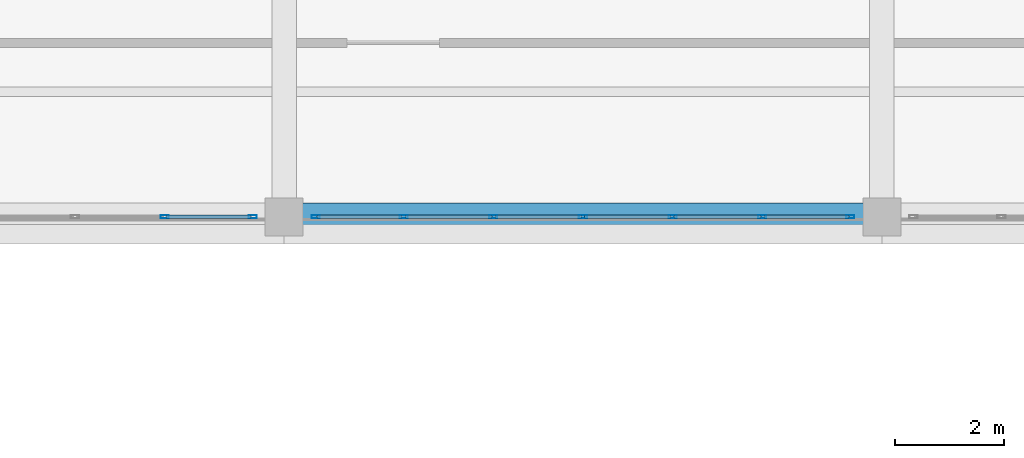
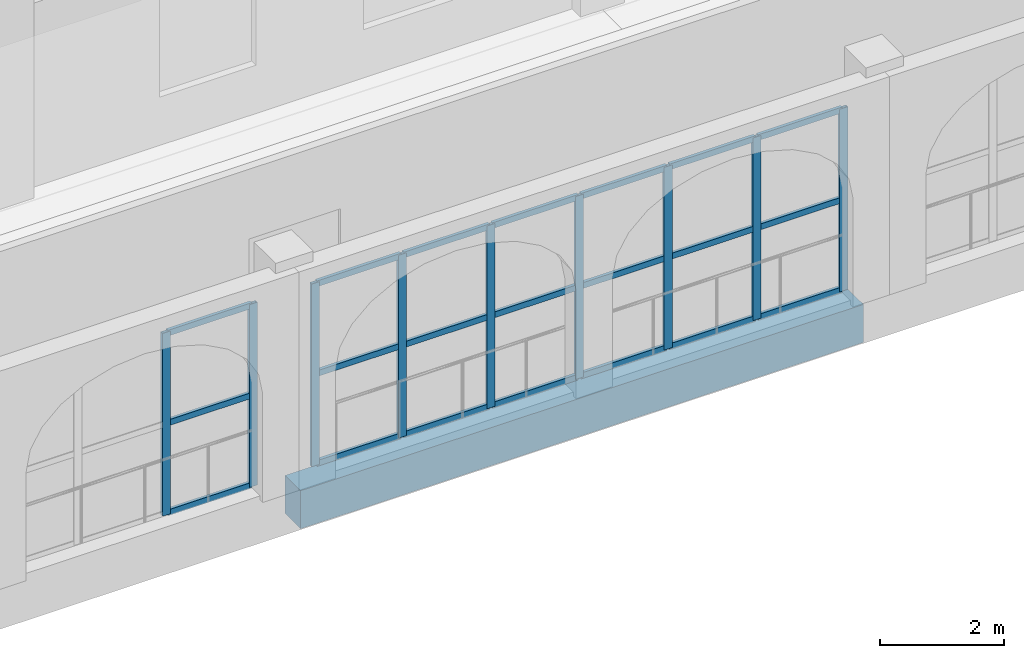
# One storey, part 51 of 156: 30 members, 1 beam, 2 elements without a shape of their own.
"""IFC4 building model written with IfcOpenShell, lengths in metres."""

from ifc_helpers import new_model, si_unit, direction, frame, origin, origin_2d, place, context, subcontext, project, spatial, rectangle, hollow_rectangle, extrude, material, material_profile, profile_set, type_object, element, aggregate, save


model = new_model("IFC4")

# Units and contexts
model_context = context("Model", 3, precision=1e-05, world=origin(), true_north=direction((0.0, 1.0)))
body_context = subcontext(model_context, "Body", "Model", "MODEL_VIEW")
ifc_project = project(units=[si_unit("LENGTHUNIT", "METRE"), si_unit("AREAUNIT", "SQUARE_METRE"), si_unit("VOLUMEUNIT", "CUBIC_METRE"), si_unit("PLANEANGLEUNIT", "RADIAN"), si_unit("MASSUNIT", "GRAM", prefix="KILO")], contexts=[model_context])

# Site, building, storey
site_placement = place(None, origin())
site = spatial("IfcSite", under=ifc_project, at=site_placement, CompositionType="ELEMENT")
building_placement = place(site_placement, origin())
building = spatial("IfcBuilding", under=site, at=building_placement, Name="Caurita Quay Ferry Terminal", CompositionType="ELEMENT")
storey_placement = place(building_placement, frame((0.0, 0.0, 5.39990234375)))
storey = spatial("IfcBuildingStorey", under=building, at=storey_placement, Name="L01", CompositionType="ELEMENT", Elevation=5.39990234375)

# Beam
ifc_material_1 = material(Name="Reinforced concrete C35/45", Category="concrete")
ifc_material_profile_1 = material_profile(ifc_material_1, rectangle(XDim=0.5, YDim=0.75, at=origin_2d()), Name="RC-BM-500X750")
ifc_profile_set_1 = profile_set([ifc_material_profile_1], Name="Reinforced concrete C35/45")
beam_type = type_object("IfcBeamType", Name="BM-RC-5075", PredefinedType="BEAM", material=ifc_profile_set_1)
beam_placement = place(storey_placement, frame((33.1748046875, 107.800048828125, -0.594970703125), z_axis=(1.0, 0.0, 0.0), x_axis=(0.0, 1.0, 0.0)))
element("IfcBeam", 1, at=beam_placement, inside=storey, type_object=beam_type, Name="L01 Beam BM-V5-L01-X-332-1078", PredefinedType="BEAM", context=body_context, shape_type="SweptSolid", body=[
    extrude(rectangle(XDim=0.5, YDim=0.75, at=origin_2d()), origin(), (0.0, 0.0, 1.0), 10.485107421875),
])

# Curtain wall, members
ifc_material_2 = material(Name="Laminated solar-control insulated glass", Category="glass")
curtain_wall_type = type_object("IfcCurtainWallType", Name="CW-SYS-23", PredefinedType="NOTDEFINED", material=ifc_material_2)
curtain_wall_1_placement = place(storey_placement, origin())
curtain_wall_1 = element("IfcCurtainWall", 2, at=curtain_wall_1_placement, inside=storey, type_object=curtain_wall_type, Name="L01 Courtyard Cloister Storefront 160", PredefinedType="NOTDEFINED")
ifc_material_3 = material(Name="Anodized aluminium 6063-T6", Category="aluminium")
ifc_material_profile_2 = material_profile(ifc_material_3, hollow_rectangle(XDim=0.06005859375, YDim=0.14990234375, WallThickness=0.00341796875, at=origin_2d()), Name="ALU-MUL-60X150")
ifc_profile_set_2 = profile_set([ifc_material_profile_2], Name="Anodized aluminium 6063-T6")
member_type_1 = type_object("IfcMemberType", Name="CW-MUL-150", PredefinedType="MULLION", material=ifc_profile_set_2)
member_1_placement = place(storey_placement, frame((30.800048828125, 107.800048828125, 0.0), z_axis=(0.0, 0.0, 1.0), x_axis=(0.0, 1.0, 0.0)))
member_1 = element("IfcMember", 3, at=member_1_placement, type_object=member_type_1, Name="CW-CRT-160 Mullion 6", PredefinedType="MULLION", context=body_context, shape_type="SweptSolid", body=[
    extrude(hollow_rectangle(XDim=0.06005859375, YDim=0.14990234375, WallThickness=0.00341796875, at=origin_2d()), origin(), (0.0, 0.0, 1.0), 3.60009765625),
])
member_2_placement = place(storey_placement, frame((32.419921875, 107.800048828125, 0.0), z_axis=(0.0, 0.0, 1.0), x_axis=(0.0, 1.0, 0.0)))
member_2 = element("IfcMember", 4, at=member_2_placement, type_object=member_type_1, Name="CW-CRT-160 Mullion 7", PredefinedType="MULLION", context=body_context, shape_type="SweptSolid", body=[
    extrude(hollow_rectangle(XDim=0.06005859375, YDim=0.14990234375, WallThickness=0.00341796875, at=origin_2d()), origin(), (0.0, 0.0, 1.0), 3.60009765625),
])

curtain_wall_2_placement = place(storey_placement, origin())
curtain_wall_2 = element("IfcCurtainWall", 5, at=curtain_wall_2_placement, inside=storey, type_object=curtain_wall_type, Name="L01 Courtyard Cloister Storefront 161", PredefinedType="NOTDEFINED")
member_3_placement = place(storey_placement, frame((33.580078125, 107.800048828125, 0.0), z_axis=(0.0, 0.0, 1.0), x_axis=(0.0, 1.0, 0.0)))
member_3 = element("IfcMember", 6, at=member_3_placement, type_object=member_type_1, Name="CW-CRT-161 Mullion 1", PredefinedType="MULLION", context=body_context, shape_type="SweptSolid", body=[
    extrude(hollow_rectangle(XDim=0.06005859375, YDim=0.14990234375, WallThickness=0.00341796875, at=origin_2d()), origin(), (0.0, 0.0, 1.0), 3.60009765625),
])
member_4_placement = place(storey_placement, frame((35.199951171875, 107.800048828125, 0.0), z_axis=(0.0, 0.0, 1.0), x_axis=(0.0, 1.0, 0.0)))
member_4 = element("IfcMember", 7, at=member_4_placement, type_object=member_type_1, Name="CW-CRT-161 Mullion 2", PredefinedType="MULLION", context=body_context, shape_type="SweptSolid", body=[
    extrude(hollow_rectangle(XDim=0.06005859375, YDim=0.14990234375, WallThickness=0.00341796875, at=origin_2d()), origin(), (0.0, 0.0, 1.0), 3.60009765625),
])
member_5_placement = place(storey_placement, frame((36.85009765625, 107.800048828125, 0.0), z_axis=(0.0, 0.0, 1.0), x_axis=(0.0, 1.0, 0.0)))
member_5 = element("IfcMember", 8, at=member_5_placement, type_object=member_type_1, Name="CW-CRT-161 Mullion 3", PredefinedType="MULLION", context=body_context, shape_type="SweptSolid", body=[
    extrude(hollow_rectangle(XDim=0.06005859375, YDim=0.14990234375, WallThickness=0.00341796875, at=origin_2d()), origin(), (0.0, 0.0, 1.0), 3.60009765625),
])
member_6_placement = place(storey_placement, frame((38.5, 107.800048828125, 0.0), z_axis=(0.0, 0.0, 1.0), x_axis=(0.0, 1.0, 0.0)))
member_6 = element("IfcMember", 9, at=member_6_placement, type_object=member_type_1, Name="CW-CRT-161 Mullion 4", PredefinedType="MULLION", context=body_context, shape_type="SweptSolid", body=[
    extrude(hollow_rectangle(XDim=0.06005859375, YDim=0.14990234375, WallThickness=0.00341796875, at=origin_2d()), origin(), (0.0, 0.0, 1.0), 3.60009765625),
])
member_7_placement = place(storey_placement, frame((40.14990234375, 107.800048828125, 0.0), z_axis=(0.0, 0.0, 1.0), x_axis=(0.0, 1.0, 0.0)))
member_7 = element("IfcMember", 10, at=member_7_placement, type_object=member_type_1, Name="CW-CRT-161 Mullion 5", PredefinedType="MULLION", context=body_context, shape_type="SweptSolid", body=[
    extrude(hollow_rectangle(XDim=0.06005859375, YDim=0.14990234375, WallThickness=0.00341796875, at=origin_2d()), origin(), (0.0, 0.0, 1.0), 3.60009765625),
])
member_8_placement = place(storey_placement, frame((41.800048828125, 107.800048828125, 0.0), z_axis=(0.0, 0.0, 1.0), x_axis=(0.0, 1.0, 0.0)))
member_8 = element("IfcMember", 11, at=member_8_placement, type_object=member_type_1, Name="CW-CRT-161 Mullion 6", PredefinedType="MULLION", context=body_context, shape_type="SweptSolid", body=[
    extrude(hollow_rectangle(XDim=0.06005859375, YDim=0.14990234375, WallThickness=0.00341796875, at=origin_2d()), origin(), (0.0, 0.0, 1.0), 3.60009765625),
])
member_9_placement = place(storey_placement, frame((43.419921875, 107.800048828125, 0.0), z_axis=(0.0, 0.0, 1.0), x_axis=(0.0, 1.0, 0.0)))
member_9 = element("IfcMember", 12, at=member_9_placement, type_object=member_type_1, Name="CW-CRT-161 Mullion 7", PredefinedType="MULLION", context=body_context, shape_type="SweptSolid", body=[
    extrude(hollow_rectangle(XDim=0.06005859375, YDim=0.14990234375, WallThickness=0.00341796875, at=origin_2d()), origin(), (0.0, 0.0, 1.0), 3.60009765625),
])

# Member
ifc_material_profile_3 = material_profile(ifc_material_3, hollow_rectangle(XDim=0.06005859375, YDim=0.114990234375, WallThickness=0.00341796875, at=origin_2d()), Name="ALU-TRN-60X115")
ifc_profile_set_3 = profile_set([ifc_material_profile_3], Name="Anodized aluminium 6063-T6")
member_type_2 = type_object("IfcMemberType", Name="CW-TRN-115", PredefinedType="USERDEFINED", material=ifc_profile_set_3)
member_10_placement = place(storey_placement, frame((30.827880859375, 107.800048828125, 0.030029296875), z_axis=(1.0, 0.0, 0.0), x_axis=(0.0, 1.0, 0.0)))
member_10 = element("IfcMember", 13, at=member_10_placement, type_object=member_type_2, Name="CW-CRT-160 Transom 16", ObjectType="TRANSOM", PredefinedType="USERDEFINED", context=body_context, shape_type="SweptSolid", body=[
    extrude(hollow_rectangle(XDim=0.06005859375, YDim=0.114990234375, WallThickness=0.00341796875, at=origin_2d()), origin(), (0.0, 0.0, 1.0), 1.564208984375),
])

member_11_placement = place(storey_placement, frame((30.827880859375, 107.800048828125, 1.800048828125), z_axis=(1.0, 0.0, 0.0), x_axis=(0.0, 1.0, 0.0)))
member_11 = element("IfcMember", 14, at=member_11_placement, type_object=member_type_2, Name="CW-CRT-160 Transom 17", ObjectType="TRANSOM", PredefinedType="USERDEFINED", context=body_context, shape_type="SweptSolid", body=[
    extrude(hollow_rectangle(XDim=0.06005859375, YDim=0.114990234375, WallThickness=0.00341796875, at=origin_2d()), origin(), (0.0, 0.0, 1.0), 1.564208984375),
])

member_12_placement = place(storey_placement, frame((30.827880859375, 107.800048828125, 3.570068359375), z_axis=(1.0, 0.0, 0.0), x_axis=(0.0, 1.0, 0.0)))
member_12 = element("IfcMember", 15, at=member_12_placement, type_object=member_type_2, Name="CW-CRT-160 Transom 18", ObjectType="TRANSOM", PredefinedType="USERDEFINED", context=body_context, shape_type="SweptSolid", body=[
    extrude(hollow_rectangle(XDim=0.06005859375, YDim=0.114990234375, WallThickness=0.00341796875, at=origin_2d()), origin(), (0.0, 0.0, 1.0), 1.564208984375),
])

aggregate(curtain_wall_1, [member_1, member_2, member_10, member_11, member_12])

member_13_placement = place(storey_placement, frame((33.60791015625, 107.800048828125, 0.030029296875), z_axis=(1.0, 0.0, 0.0), x_axis=(0.0, 1.0, 0.0)))
member_13 = element("IfcMember", 16, at=member_13_placement, type_object=member_type_2, Name="CW-CRT-161 Transom 1", ObjectType="TRANSOM", PredefinedType="USERDEFINED", context=body_context, shape_type="SweptSolid", body=[
    extrude(hollow_rectangle(XDim=0.06005859375, YDim=0.114990234375, WallThickness=0.00341796875, at=origin_2d()), origin(), (0.0, 0.0, 1.0), 1.564208984375),
])

member_14_placement = place(storey_placement, frame((33.60791015625, 107.800048828125, 1.800048828125), z_axis=(1.0, 0.0, 0.0), x_axis=(0.0, 1.0, 0.0)))
member_14 = element("IfcMember", 17, at=member_14_placement, type_object=member_type_2, Name="CW-CRT-161 Transom 2", ObjectType="TRANSOM", PredefinedType="USERDEFINED", context=body_context, shape_type="SweptSolid", body=[
    extrude(hollow_rectangle(XDim=0.06005859375, YDim=0.114990234375, WallThickness=0.00341796875, at=origin_2d()), origin(), (0.0, 0.0, 1.0), 1.564208984375),
])

member_15_placement = place(storey_placement, frame((33.60791015625, 107.800048828125, 3.570068359375), z_axis=(1.0, 0.0, 0.0), x_axis=(0.0, 1.0, 0.0)))
member_15 = element("IfcMember", 18, at=member_15_placement, type_object=member_type_2, Name="CW-CRT-161 Transom 3", ObjectType="TRANSOM", PredefinedType="USERDEFINED", context=body_context, shape_type="SweptSolid", body=[
    extrude(hollow_rectangle(XDim=0.06005859375, YDim=0.114990234375, WallThickness=0.00341796875, at=origin_2d()), origin(), (0.0, 0.0, 1.0), 1.564208984375),
])

member_16_placement = place(storey_placement, frame((35.22802734375, 107.800048828125, 0.030029296875), z_axis=(1.0, 0.0, 0.0), x_axis=(0.0, 1.0, 0.0)))
member_16 = element("IfcMember", 19, at=member_16_placement, type_object=member_type_2, Name="CW-CRT-161 Transom 4", ObjectType="TRANSOM", PredefinedType="USERDEFINED", context=body_context, shape_type="SweptSolid", body=[
    extrude(hollow_rectangle(XDim=0.06005859375, YDim=0.114990234375, WallThickness=0.00341796875, at=origin_2d()), origin(), (0.0, 0.0, 1.0), 1.593994140625),
])

member_17_placement = place(storey_placement, frame((35.22802734375, 107.800048828125, 1.800048828125), z_axis=(1.0, 0.0, 0.0), x_axis=(0.0, 1.0, 0.0)))
member_17 = element("IfcMember", 20, at=member_17_placement, type_object=member_type_2, Name="CW-CRT-161 Transom 5", ObjectType="TRANSOM", PredefinedType="USERDEFINED", context=body_context, shape_type="SweptSolid", body=[
    extrude(hollow_rectangle(XDim=0.06005859375, YDim=0.114990234375, WallThickness=0.00341796875, at=origin_2d()), origin(), (0.0, 0.0, 1.0), 1.593994140625),
])

member_18_placement = place(storey_placement, frame((35.22802734375, 107.800048828125, 3.570068359375), z_axis=(1.0, 0.0, 0.0), x_axis=(0.0, 1.0, 0.0)))
member_18 = element("IfcMember", 21, at=member_18_placement, type_object=member_type_2, Name="CW-CRT-161 Transom 6", ObjectType="TRANSOM", PredefinedType="USERDEFINED", context=body_context, shape_type="SweptSolid", body=[
    extrude(hollow_rectangle(XDim=0.06005859375, YDim=0.114990234375, WallThickness=0.00341796875, at=origin_2d()), origin(), (0.0, 0.0, 1.0), 1.593994140625),
])

member_19_placement = place(storey_placement, frame((36.8779296875, 107.800048828125, 0.030029296875), z_axis=(1.0, 0.0, 0.0), x_axis=(0.0, 1.0, 0.0)))
member_19 = element("IfcMember", 22, at=member_19_placement, type_object=member_type_2, Name="CW-CRT-161 Transom 7", ObjectType="TRANSOM", PredefinedType="USERDEFINED", context=body_context, shape_type="SweptSolid", body=[
    extrude(hollow_rectangle(XDim=0.06005859375, YDim=0.114990234375, WallThickness=0.00341796875, at=origin_2d()), origin(), (0.0, 0.0, 1.0), 1.593994140625),
])

member_20_placement = place(storey_placement, frame((36.8779296875, 107.800048828125, 1.800048828125), z_axis=(1.0, 0.0, 0.0), x_axis=(0.0, 1.0, 0.0)))
member_20 = element("IfcMember", 23, at=member_20_placement, type_object=member_type_2, Name="CW-CRT-161 Transom 8", ObjectType="TRANSOM", PredefinedType="USERDEFINED", context=body_context, shape_type="SweptSolid", body=[
    extrude(hollow_rectangle(XDim=0.06005859375, YDim=0.114990234375, WallThickness=0.00341796875, at=origin_2d()), origin(), (0.0, 0.0, 1.0), 1.593994140625),
])

member_21_placement = place(storey_placement, frame((36.8779296875, 107.800048828125, 3.570068359375), z_axis=(1.0, 0.0, 0.0), x_axis=(0.0, 1.0, 0.0)))
member_21 = element("IfcMember", 24, at=member_21_placement, type_object=member_type_2, Name="CW-CRT-161 Transom 9", ObjectType="TRANSOM", PredefinedType="USERDEFINED", context=body_context, shape_type="SweptSolid", body=[
    extrude(hollow_rectangle(XDim=0.06005859375, YDim=0.114990234375, WallThickness=0.00341796875, at=origin_2d()), origin(), (0.0, 0.0, 1.0), 1.593994140625),
])

member_22_placement = place(storey_placement, frame((38.528076171875, 107.800048828125, 0.030029296875), z_axis=(1.0, 0.0, 0.0), x_axis=(0.0, 1.0, 0.0)))
member_22 = element("IfcMember", 25, at=member_22_placement, type_object=member_type_2, Name="CW-CRT-161 Transom 10", ObjectType="TRANSOM", PredefinedType="USERDEFINED", context=body_context, shape_type="SweptSolid", body=[
    extrude(hollow_rectangle(XDim=0.06005859375, YDim=0.114990234375, WallThickness=0.00341796875, at=origin_2d()), origin(), (0.0, 0.0, 1.0), 1.593994140625),
])

member_23_placement = place(storey_placement, frame((38.528076171875, 107.800048828125, 1.800048828125), z_axis=(1.0, 0.0, 0.0), x_axis=(0.0, 1.0, 0.0)))
member_23 = element("IfcMember", 26, at=member_23_placement, type_object=member_type_2, Name="CW-CRT-161 Transom 11", ObjectType="TRANSOM", PredefinedType="USERDEFINED", context=body_context, shape_type="SweptSolid", body=[
    extrude(hollow_rectangle(XDim=0.06005859375, YDim=0.114990234375, WallThickness=0.00341796875, at=origin_2d()), origin(), (0.0, 0.0, 1.0), 1.593994140625),
])

member_24_placement = place(storey_placement, frame((38.528076171875, 107.800048828125, 3.570068359375), z_axis=(1.0, 0.0, 0.0), x_axis=(0.0, 1.0, 0.0)))
member_24 = element("IfcMember", 27, at=member_24_placement, type_object=member_type_2, Name="CW-CRT-161 Transom 12", ObjectType="TRANSOM", PredefinedType="USERDEFINED", context=body_context, shape_type="SweptSolid", body=[
    extrude(hollow_rectangle(XDim=0.06005859375, YDim=0.114990234375, WallThickness=0.00341796875, at=origin_2d()), origin(), (0.0, 0.0, 1.0), 1.593994140625),
])

member_25_placement = place(storey_placement, frame((40.177978515625, 107.800048828125, 0.030029296875), z_axis=(1.0, 0.0, 0.0), x_axis=(0.0, 1.0, 0.0)))
member_25 = element("IfcMember", 28, at=member_25_placement, type_object=member_type_2, Name="CW-CRT-161 Transom 13", ObjectType="TRANSOM", PredefinedType="USERDEFINED", context=body_context, shape_type="SweptSolid", body=[
    extrude(hollow_rectangle(XDim=0.06005859375, YDim=0.114990234375, WallThickness=0.00341796875, at=origin_2d()), origin(), (0.0, 0.0, 1.0), 1.593994140625),
])

member_26_placement = place(storey_placement, frame((40.177978515625, 107.800048828125, 1.800048828125), z_axis=(1.0, 0.0, 0.0), x_axis=(0.0, 1.0, 0.0)))
member_26 = element("IfcMember", 29, at=member_26_placement, type_object=member_type_2, Name="CW-CRT-161 Transom 14", ObjectType="TRANSOM", PredefinedType="USERDEFINED", context=body_context, shape_type="SweptSolid", body=[
    extrude(hollow_rectangle(XDim=0.06005859375, YDim=0.114990234375, WallThickness=0.00341796875, at=origin_2d()), origin(), (0.0, 0.0, 1.0), 1.593994140625),
])

member_27_placement = place(storey_placement, frame((40.177978515625, 107.800048828125, 3.570068359375), z_axis=(1.0, 0.0, 0.0), x_axis=(0.0, 1.0, 0.0)))
member_27 = element("IfcMember", 30, at=member_27_placement, type_object=member_type_2, Name="CW-CRT-161 Transom 15", ObjectType="TRANSOM", PredefinedType="USERDEFINED", context=body_context, shape_type="SweptSolid", body=[
    extrude(hollow_rectangle(XDim=0.06005859375, YDim=0.114990234375, WallThickness=0.00341796875, at=origin_2d()), origin(), (0.0, 0.0, 1.0), 1.593994140625),
])

member_28_placement = place(storey_placement, frame((41.827880859375, 107.800048828125, 0.030029296875), z_axis=(1.0, 0.0, 0.0), x_axis=(0.0, 1.0, 0.0)))
member_28 = element("IfcMember", 31, at=member_28_placement, type_object=member_type_2, Name="CW-CRT-161 Transom 16", ObjectType="TRANSOM", PredefinedType="USERDEFINED", context=body_context, shape_type="SweptSolid", body=[
    extrude(hollow_rectangle(XDim=0.06005859375, YDim=0.114990234375, WallThickness=0.00341796875, at=origin_2d()), origin(), (0.0, 0.0, 1.0), 1.564208984375),
])

member_29_placement = place(storey_placement, frame((41.827880859375, 107.800048828125, 1.800048828125), z_axis=(1.0, 0.0, 0.0), x_axis=(0.0, 1.0, 0.0)))
member_29 = element("IfcMember", 32, at=member_29_placement, type_object=member_type_2, Name="CW-CRT-161 Transom 17", ObjectType="TRANSOM", PredefinedType="USERDEFINED", context=body_context, shape_type="SweptSolid", body=[
    extrude(hollow_rectangle(XDim=0.06005859375, YDim=0.114990234375, WallThickness=0.00341796875, at=origin_2d()), origin(), (0.0, 0.0, 1.0), 1.564208984375),
])

member_30_placement = place(storey_placement, frame((41.827880859375, 107.800048828125, 3.570068359375), z_axis=(1.0, 0.0, 0.0), x_axis=(0.0, 1.0, 0.0)))
member_30 = element("IfcMember", 33, at=member_30_placement, type_object=member_type_2, Name="CW-CRT-161 Transom 18", ObjectType="TRANSOM", PredefinedType="USERDEFINED", context=body_context, shape_type="SweptSolid", body=[
    extrude(hollow_rectangle(XDim=0.06005859375, YDim=0.114990234375, WallThickness=0.00341796875, at=origin_2d()), origin(), (0.0, 0.0, 1.0), 1.564208984375),
])

aggregate(curtain_wall_2, [member_3, member_4, member_5, member_6, member_7, member_8, member_9, member_13, member_14, member_15, member_16, member_17, member_18, member_19, member_20, member_21, member_22, member_23, member_24, member_25, member_26, member_27, member_28, member_29, member_30])

save(model, "model.ifc")
